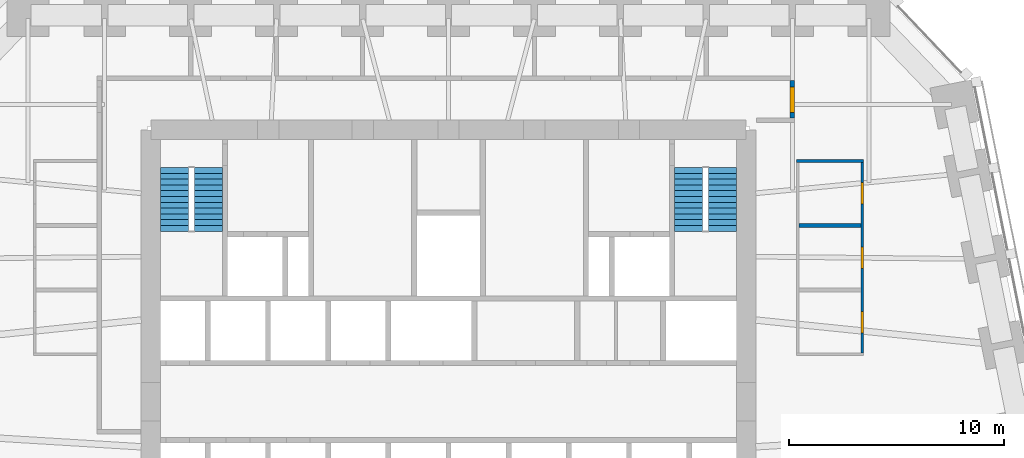
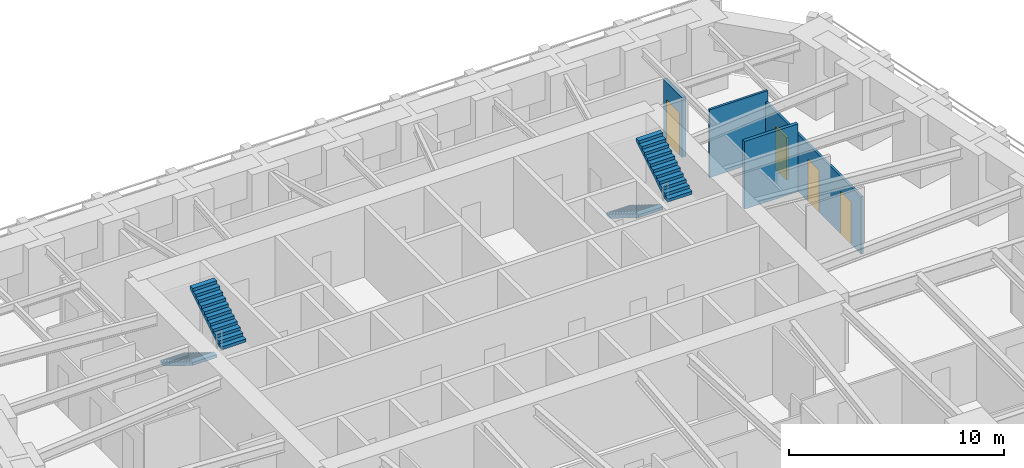
# One storey, part 8 of 10: 4 doors, 4 stair flights, 4 walls, 4 openings, 2 elements without a shape of their own.
"""IFC4 building model written with IfcOpenShell, lengths in metres."""

from ifc_helpers import new_model, si_unit, direction, frame, frame_2d, origin, place, context, subcontext, project, spatial, polyline, rectangle, outline, extrude, material, layer, layer_set, type_object, element, fill, aggregate, save


model = new_model("IFC4")

# Units and contexts
model_context = context("Model", 3, precision=1e-05, world=origin(), true_north=direction((0.0, 1.0)))
body_context = subcontext(model_context, "Body", "Model", "MODEL_VIEW")
ifc_project = project(units=[si_unit("LENGTHUNIT", "METRE"), si_unit("AREAUNIT", "SQUARE_METRE"), si_unit("VOLUMEUNIT", "CUBIC_METRE"), si_unit("PLANEANGLEUNIT", "RADIAN"), si_unit("MASSUNIT", "GRAM", prefix="KILO")], contexts=[model_context])

# Site, building, storey
site_placement = place(None, origin())
site = spatial("IfcSite", under=ifc_project, at=site_placement, CompositionType="ELEMENT")
building_placement = place(site_placement, origin())
building = spatial("IfcBuilding", under=site, at=building_placement, Name="Isbrekke Arena Tower", CompositionType="ELEMENT")
storey_placement = place(building_placement, frame((0.0, 0.0, 76.0)))
storey = spatial("IfcBuildingStorey", under=building, at=storey_placement, Name="L16", CompositionType="ELEMENT", Elevation=76.0)

# Wall
ifc_material_1 = material(Name="Frameless glazed partition, laminated acoustic glass", Category="glass")
ifc_layer_1 = layer(ifc_material_1, 0.1201171875)
ifc_layer_set_1 = layer_set([ifc_layer_1], Name="IW2 GLAZED PARTITION 120")
wall_type_1 = type_object("IfcWallType", Name="IW2 GLAZED PARTITION 120", PredefinedType="PARTITIONING", material=ifc_layer_set_1)
wall_1_placement = place(storey_placement, frame((16.18994140625, 22.39990234375, 0.0), z_axis=(0.0, 0.0, 1.0), x_axis=(1.0, 0.0, 0.0)))
element("IfcWall", 1, at=wall_1_placement, inside=storey, type_object=wall_type_1, Name="IW2 glazed partition 120 L16", PredefinedType="PARTITIONING", context=body_context, shape_type="SweptSolid", body=[
    extrude(rectangle(XDim=3.1201171875, YDim=0.1201171875, at=frame_2d((1.56005859375, 0.0))), origin(), (0.0, 0.0, 1.0), 3.85009765625),
])

# Wall, openings, doors
wall_2_placement = place(storey_placement, frame((19.25, 13.4599609375, 0.0), z_axis=(0.0, 0.0, 1.0), x_axis=(0.0, 1.0, 0.0)))
wall_2 = element("IfcWall", 2, at=wall_2_placement, inside=storey, type_object=wall_type_1, Name="IW2 glazed partition 120 L16", PredefinedType="PARTITIONING", context=body_context, shape_type="SweptSolid", body=[
    extrude(rectangle(XDim=8.880126953125, YDim=0.1201171875, at=frame_2d((4.43994140625, 0.0))), origin(), (0.0, 0.0, 1.0), 3.25),
])
opening_1_placement = place(wall_2_placement, frame((0.93994140625, 0.0, 0.0)))
opening_1 = element("IfcOpeningElement", 3, at=opening_1_placement, cuts=wall_2, Name="Opening D11", PredefinedType="OPENING", context=body_context, shape_type="SweptSolid", body=[
    extrude(rectangle(XDim=1.0, YDim=2.39990234375, at=frame_2d((0.5, 1.199951171875))), frame((0.0, 0.074951171875, 0.0), z_axis=(0.0, -1.0, 0.0), x_axis=(1.0, 0.0, 0.0)), (0.0, 0.0, 1.0), 0.14990234375),
])
opening_2_placement = place(wall_2_placement, frame((3.93994140625, 0.0, 0.0)))
opening_2 = element("IfcOpeningElement", 4, at=opening_2_placement, cuts=wall_2, Name="Opening D11", PredefinedType="OPENING", context=body_context, shape_type="SweptSolid", body=[
    extrude(rectangle(XDim=1.0, YDim=2.39990234375, at=frame_2d((0.5, 1.199951171875))), frame((0.0, 0.074951171875, 0.0), z_axis=(0.0, -1.0, 0.0), x_axis=(1.0, 0.0, 0.0)), (0.0, 0.0, 1.0), 0.14990234375),
])
opening_3_placement = place(wall_2_placement, frame((6.93994140625, 0.0, 0.0)))
opening_3 = element("IfcOpeningElement", 5, at=opening_3_placement, cuts=wall_2, Name="Opening D11", PredefinedType="OPENING", context=body_context, shape_type="SweptSolid", body=[
    extrude(rectangle(XDim=1.0, YDim=2.39990234375, at=frame_2d((0.5, 1.199951171875))), frame((0.0, 0.074951171875, 0.0), z_axis=(0.0, -1.0, 0.0), x_axis=(1.0, 0.0, 0.0)), (0.0, 0.0, 1.0), 0.14990234375),
])
ifc_material_2 = material(Name="Frameless glazed door", Category="glass")
door_type_1 = type_object("IfcDoorType", Name="D11 GLAZED MEETING ROOM DOOR 1000 x 2400", OperationType="SINGLE_SWING_RIGHT", PredefinedType="DOOR", material=ifc_material_2)
door_1_placement = place(opening_1_placement, origin())
door_1 = element("IfcDoor", 6, at=door_1_placement, inside=storey, type_object=door_type_1, Name="D11 quiet room door L16", OperationType="SINGLE_SWING_RIGHT", OverallHeight=2.39990234375, OverallWidth=1.0, PredefinedType="DOOR", context=body_context, shape_type="SweptSolid", body=[
    extrude(rectangle(XDim=1.0, YDim=2.39990234375, at=frame_2d((0.5, 1.199951171875))), frame((0.0, 0.059814453125, 0.0), z_axis=(0.0, -1.0, 0.0), x_axis=(1.0, 0.0, 0.0)), (0.0, 0.0, 1.0), 0.11962890625),
])
fill(opening_1, door_1)
door_2_placement = place(opening_2_placement, origin())
door_2 = element("IfcDoor", 7, at=door_2_placement, inside=storey, type_object=door_type_1, Name="D11 quiet room door L16", OperationType="SINGLE_SWING_RIGHT", OverallHeight=2.39990234375, OverallWidth=1.0, PredefinedType="DOOR", context=body_context, shape_type="SweptSolid", body=[
    extrude(rectangle(XDim=1.0, YDim=2.39990234375, at=frame_2d((0.5, 1.199951171875))), frame((0.0, 0.059814453125, 0.0), z_axis=(0.0, -1.0, 0.0), x_axis=(1.0, 0.0, 0.0)), (0.0, 0.0, 1.0), 0.11962890625),
])
fill(opening_2, door_2)
door_3_placement = place(opening_3_placement, origin())
door_3 = element("IfcDoor", 8, at=door_3_placement, inside=storey, type_object=door_type_1, Name="D11 quiet room door L16", OperationType="SINGLE_SWING_RIGHT", OverallHeight=2.39990234375, OverallWidth=1.0, PredefinedType="DOOR", context=body_context, shape_type="SweptSolid", body=[
    extrude(rectangle(XDim=1.0, YDim=2.39990234375, at=frame_2d((0.5, 1.199951171875))), frame((0.0, 0.059814453125, 0.0), z_axis=(0.0, -1.0, 0.0), x_axis=(1.0, 0.0, 0.0)), (0.0, 0.0, 1.0), 0.11962890625),
])
fill(opening_3, door_3)

# Wall, opening, door
ifc_material_3 = material(Name="Gypsum board fire-cell wall on steel studs, two layers each side", Category="steel")
ifc_layer_2 = layer(ifc_material_3, 0.199951171875)
ifc_layer_set_2 = layer_set([ifc_layer_2], Name="IW3 FIRE-CELL WALL 200")
wall_type_2 = type_object("IfcWallType", Name="IW3 FIRE-CELL WALL 200", PredefinedType="PARTITIONING", material=ifc_layer_set_2)
wall_3_placement = place(storey_placement, frame((16.0, 24.39990234375, 0.0), z_axis=(0.0, 0.0, 1.0), x_axis=(0.0, 1.0, 0.0)))
wall_3 = element("IfcWall", 9, at=wall_3_placement, inside=storey, type_object=wall_type_2, Name="IW3 fire-cell wall 200 L16", PredefinedType="PARTITIONING", context=body_context, shape_type="SweptSolid", body=[
    extrude(rectangle(XDim=1.75, YDim=0.199951171875, at=frame_2d((0.875, 0.0))), origin(), (0.0, 0.0, 1.0), 3.39990234375),
])
opening_4_placement = place(wall_3_placement, frame((0.25, 0.0, 0.0)))
opening_4 = element("IfcOpeningElement", 10, at=opening_4_placement, cuts=wall_3, Name="Opening D12", PredefinedType="OPENING", context=body_context, shape_type="SweptSolid", body=[
    extrude(rectangle(XDim=1.199951171875, YDim=2.39990234375, at=frame_2d((0.60009765625, 1.199951171875))), frame((0.0, 0.11474609375, 0.0), z_axis=(0.0, -1.0, 0.0), x_axis=(1.0, 0.0, 0.0)), (0.0, 0.0, 1.0), 0.229736328125),
])
ifc_material_4 = material(Name="Timber fire door with vision panel", Category="wood")
door_type_2 = type_object("IfcDoorType", Name="D12 SUITE ENTRANCE DOOR 1200 x 2400", OperationType="SINGLE_SWING_LEFT", PredefinedType="DOOR", material=ifc_material_4)
door_4_placement = place(opening_4_placement, origin())
door_4 = element("IfcDoor", 11, at=door_4_placement, inside=storey, type_object=door_type_2, Name="D12 suite entrance A door L16", OperationType="SINGLE_SWING_LEFT", OverallHeight=2.39990234375, OverallWidth=1.199951171875, PredefinedType="DOOR", context=body_context, shape_type="SweptSolid", body=[
    extrude(rectangle(XDim=1.199951171875, YDim=2.39990234375, at=frame_2d((0.60009765625, 1.199951171875))), frame((0.0, 0.099609375, 0.0), z_axis=(0.0, -1.0, 0.0), x_axis=(1.0, 0.0, 0.0)), (0.0, 0.0, 1.0), 0.199462890625),
])
fill(opening_4, door_4)

# Wall
ifc_material_5 = material(Name="Gypsum board acoustic partition on twin steel studs", Category="steel")
ifc_layer_3 = layer(ifc_material_5, 0.175048828125)
ifc_layer_set_3 = layer_set([ifc_layer_3], Name="IW4 ACOUSTIC PARTITION 175")
wall_type_3 = type_object("IfcWallType", Name="IW4 ACOUSTIC PARTITION 175", PredefinedType="PARTITIONING", material=ifc_layer_set_3)
wall_4_placement = place(storey_placement, frame((16.31005859375, 19.39990234375, 0.0), z_axis=(0.0, 0.0, 1.0), x_axis=(1.0, 0.0, 0.0)))
element("IfcWall", 12, at=wall_4_placement, inside=storey, type_object=wall_type_3, Name="IW4 acoustic partition 175 L16", PredefinedType="PARTITIONING", context=body_context, shape_type="SweptSolid", body=[
    extrude(rectangle(XDim=2.8798828125, YDim=0.175048828125, at=frame_2d((1.43994140625, 0.0))), origin(), (0.0, 0.0, 1.0), 3.85009765625),
])

# Stair, stair flights
ifc_material_6 = material(Name="Concrete B45 (C45/55) precast", Category="concrete")
stair_type = type_object("IfcStairType", Name="ST40 STAIR 1300 WIDE, 24 RISERS 167", PredefinedType="HALF_TURN_STAIR", material=ifc_material_6)
stair_1_placement = place(storey_placement, origin())
stair_1 = element("IfcStair", 13, at=stair_1_placement, inside=storey, type_object=stair_type, Name="ST1 stair L16", PredefinedType="HALF_TURN_STAIR")
ifc_material_7 = material(Name="Concrete B45 (C45/55) precast", Category="concrete")
stair_flight_type = type_object("IfcStairFlightType", Name="SF 1300 FLIGHT", PredefinedType="STRAIGHT", material=ifc_material_7)
stair_flight_1_placement = place(storey_placement, frame((-12.75, 22.10009765625, 0.0), z_axis=(0.0, 0.0, 1.0), x_axis=(0.0, -1.0, 0.0)))
stair_flight_1 = element("IfcStairFlight", 14, at=stair_flight_1_placement, type_object=stair_flight_type, Name="ST1 flight 1", NumberOfRisers=12, NumberOfTreads=11, PredefinedType="STRAIGHT", RiserHeight=0.166666667, TreadLength=0.27, context=body_context, shape_type="SweptSolid", body=[
    extrude(outline(polyline([(0.0, 0.0), (0.0, 0.166748046875), (0.27001953125, 0.166748046875), (0.27001953125, 0.333251953125), (0.5400390625, 0.333251953125), (0.5400390625, 0.5), (0.81005859375, 0.5), (0.81005859375, 0.666748046875), (1.080078125, 0.666748046875), (1.080078125, 0.833251953125), (1.35009765625, 0.833251953125), (1.35009765625, 1.0), (1.6201171875, 1.0), (1.6201171875, 1.166748046875), (1.889892578125, 1.166748046875), (1.889892578125, 1.333251953125), (2.159912109375, 1.333251953125), (2.159912109375, 1.5), (2.429931640625, 1.5), (2.429931640625, 1.666748046875), (2.699951171875, 1.666748046875), (2.699951171875, 1.833251953125), (2.969970703125, 1.833251953125), (2.969970703125, 2.0), (2.969970703125, 1.6572265625), (0.285400390625, 0.0), (0.0, 0.0)])), frame((0.0, 0.64990234375, 0.0), z_axis=(0.0, -1.0, 0.0), x_axis=(1.0, 0.0, 0.0)), (0.0, 0.0, 1.0), 1.300048828125),
])
stair_flight_2_placement = place(storey_placement, frame((-11.175048828125, 19.1298828125, 2.0), z_axis=(0.0, 0.0, 1.0), x_axis=(0.0, 1.0, 0.0)))
stair_flight_2 = element("IfcStairFlight", 15, at=stair_flight_2_placement, type_object=stair_flight_type, Name="ST1 flight 2", NumberOfRisers=12, NumberOfTreads=11, PredefinedType="STRAIGHT", RiserHeight=0.166666667, TreadLength=0.27, context=body_context, shape_type="SweptSolid", body=[
    extrude(outline(polyline([(0.0, 0.0), (0.0, 0.166748046875), (0.27001953125, 0.166748046875), (0.27001953125, 0.333251953125), (0.5400390625, 0.333251953125), (0.5400390625, 0.5), (0.81005859375, 0.5), (0.81005859375, 0.666748046875), (1.080078125, 0.666748046875), (1.080078125, 0.833251953125), (1.35009765625, 0.833251953125), (1.35009765625, 1.0), (1.6201171875, 1.0), (1.6201171875, 1.166748046875), (1.889892578125, 1.166748046875), (1.889892578125, 1.333251953125), (2.159912109375, 1.333251953125), (2.159912109375, 1.5), (2.429931640625, 1.5), (2.429931640625, 1.666748046875), (2.699951171875, 1.666748046875), (2.699951171875, 1.833251953125), (2.969970703125, 1.833251953125), (2.969970703125, 2.0), (2.969970703125, 1.6572265625), (0.285400390625, 0.0), (0.0, 0.0)])), frame((0.0, 0.64990234375, 0.0), z_axis=(0.0, -1.0, 0.0), x_axis=(1.0, 0.0, 0.0)), (0.0, 0.0, 1.0), 1.300048828125),
])
aggregate(stair_1, [stair_flight_1, stair_flight_2])

stair_2_placement = place(storey_placement, origin())
stair_2 = element("IfcStair", 16, at=stair_2_placement, inside=storey, type_object=stair_type, Name="ST2 stair L16", PredefinedType="HALF_TURN_STAIR")
stair_flight_3_placement = place(storey_placement, frame((11.175048828125, 22.10009765625, 0.0), z_axis=(0.0, 0.0, 1.0), x_axis=(0.0, -1.0, 0.0)))
stair_flight_3 = element("IfcStairFlight", 17, at=stair_flight_3_placement, type_object=stair_flight_type, Name="ST2 flight 1", NumberOfRisers=12, NumberOfTreads=11, PredefinedType="STRAIGHT", RiserHeight=0.166666667, TreadLength=0.27, context=body_context, shape_type="SweptSolid", body=[
    extrude(outline(polyline([(0.0, 0.0), (0.0, 0.166748046875), (0.27001953125, 0.166748046875), (0.27001953125, 0.333251953125), (0.5400390625, 0.333251953125), (0.5400390625, 0.5), (0.81005859375, 0.5), (0.81005859375, 0.666748046875), (1.080078125, 0.666748046875), (1.080078125, 0.833251953125), (1.35009765625, 0.833251953125), (1.35009765625, 1.0), (1.6201171875, 1.0), (1.6201171875, 1.166748046875), (1.889892578125, 1.166748046875), (1.889892578125, 1.333251953125), (2.159912109375, 1.333251953125), (2.159912109375, 1.5), (2.429931640625, 1.5), (2.429931640625, 1.666748046875), (2.699951171875, 1.666748046875), (2.699951171875, 1.833251953125), (2.969970703125, 1.833251953125), (2.969970703125, 2.0), (2.969970703125, 1.6572265625), (0.285400390625, 0.0), (0.0, 0.0)])), frame((0.0, 0.64990234375, 0.0), z_axis=(0.0, -1.0, 0.0), x_axis=(1.0, 0.0, 0.0)), (0.0, 0.0, 1.0), 1.300048828125),
])
stair_flight_4_placement = place(storey_placement, frame((12.75, 19.1298828125, 2.0), z_axis=(0.0, 0.0, 1.0), x_axis=(0.0, 1.0, 0.0)))
stair_flight_4 = element("IfcStairFlight", 18, at=stair_flight_4_placement, type_object=stair_flight_type, Name="ST2 flight 2", NumberOfRisers=12, NumberOfTreads=11, PredefinedType="STRAIGHT", RiserHeight=0.166666667, TreadLength=0.27, context=body_context, shape_type="SweptSolid", body=[
    extrude(outline(polyline([(0.0, 0.0), (0.0, 0.166748046875), (0.27001953125, 0.166748046875), (0.27001953125, 0.333251953125), (0.5400390625, 0.333251953125), (0.5400390625, 0.5), (0.81005859375, 0.5), (0.81005859375, 0.666748046875), (1.080078125, 0.666748046875), (1.080078125, 0.833251953125), (1.35009765625, 0.833251953125), (1.35009765625, 1.0), (1.6201171875, 1.0), (1.6201171875, 1.166748046875), (1.889892578125, 1.166748046875), (1.889892578125, 1.333251953125), (2.159912109375, 1.333251953125), (2.159912109375, 1.5), (2.429931640625, 1.5), (2.429931640625, 1.666748046875), (2.699951171875, 1.666748046875), (2.699951171875, 1.833251953125), (2.969970703125, 1.833251953125), (2.969970703125, 2.0), (2.969970703125, 1.6572265625), (0.285400390625, 0.0), (0.0, 0.0)])), frame((0.0, 0.64990234375, 0.0), z_axis=(0.0, -1.0, 0.0), x_axis=(1.0, 0.0, 0.0)), (0.0, 0.0, 1.0), 1.300048828125),
])
aggregate(stair_2, [stair_flight_3, stair_flight_4])

save(model, "model.ifc")
